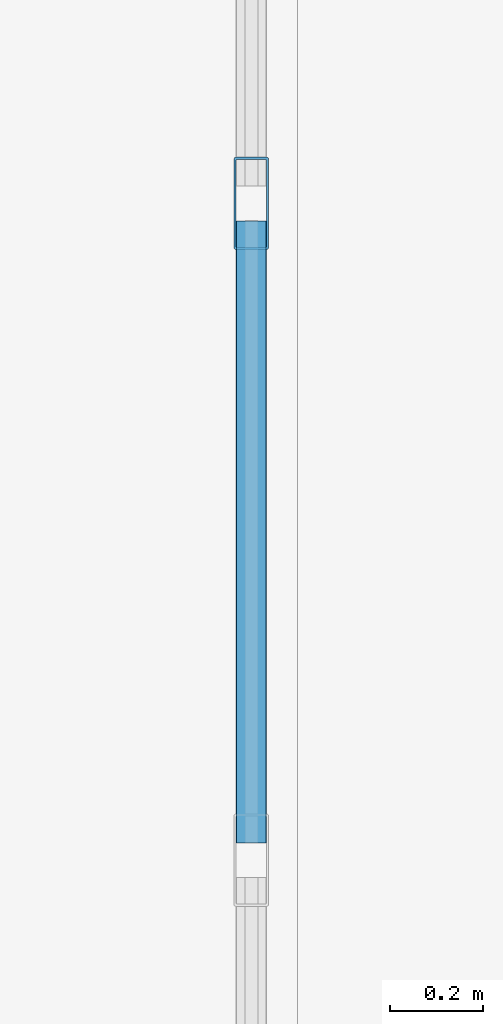
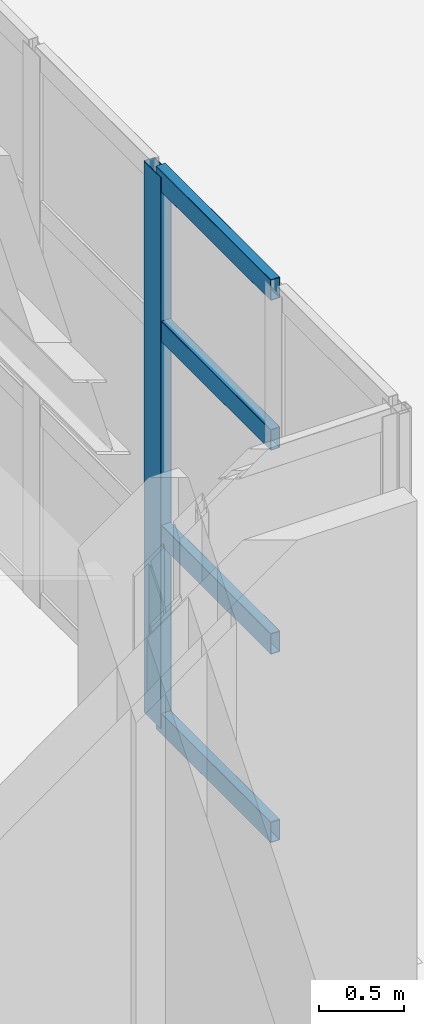
# One storey, part 22 of 43: 5 members, 1 element without a shape of its own.
"""IFC4 building model written with IfcOpenShell, lengths in metres."""

from ifc_helpers import new_model, si_unit, direction, frame, origin, origin_2d, place, context, subcontext, project, spatial, hollow_rectangle, extrude, material, layer, layer_set, material_profile, profile_set, type_object, element, aggregate, save


model = new_model("IFC4")

# Units and contexts
model_context = context("Model", 3, precision=1e-05, world=origin(), true_north=direction((0.0, 1.0)))
body_context = subcontext(model_context, "Body", "Model", "MODEL_VIEW")
ifc_project = project(units=[si_unit("LENGTHUNIT", "METRE"), si_unit("AREAUNIT", "SQUARE_METRE"), si_unit("VOLUMEUNIT", "CUBIC_METRE"), si_unit("PLANEANGLEUNIT", "RADIAN"), si_unit("MASSUNIT", "GRAM", prefix="KILO")], contexts=[model_context])

# Site, building, storey
site_placement = place(None, origin())
site = spatial("IfcSite", under=ifc_project, at=site_placement, CompositionType="ELEMENT")
building_placement = place(site_placement, origin())
building = spatial("IfcBuilding", under=site, at=building_placement, Name="Kemerveld Promenade Tramway Depot", CompositionType="ELEMENT")
storey_placement = place(building_placement, frame((0.0, 0.0, 18.89990234375)))
storey = spatial("IfcBuildingStorey", under=building, at=storey_placement, Name="L04", CompositionType="ELEMENT", Elevation=18.89990234375)

# Curtain wall, members
ifc_material_1 = material(Name="Bronze anodised aluminium and solar glass", Category="aluminium")
ifc_layer = layer(ifc_material_1, 0.199951171875)
ifc_layer_set = layer_set([ifc_layer], Name="CW-SYS-02")
curtain_wall_type = type_object("IfcCurtainWallType", Name="CW-SYS-02", PredefinedType="USERDEFINED", material=ifc_layer_set)
curtain_wall_placement = place(storey_placement, origin())
curtain_wall = element("IfcCurtainWall", 1, at=curtain_wall_placement, inside=storey, type_object=curtain_wall_type, Name="CW-L04-CUMBA-E", ObjectType="GLAZED_CURTAIN_WALL", PredefinedType="USERDEFINED")
ifc_material_2 = material(Name="Bronze anodised aluminium", Category="aluminium")
ifc_material_profile_1 = material_profile(ifc_material_2, hollow_rectangle(XDim=0.074951171875, YDim=0.199951171875, WallThickness=0.0048828125, InnerFilletRadius=0.001953125, OuterFilletRadius=0.0048828125, at=origin_2d()), Name="CW-MUL-200x75")
ifc_profile_set_1 = profile_set([ifc_material_profile_1], Name="Bronze anodised aluminium")
member_type_1 = type_object("IfcMemberType", Name="CW-MUL-B", PredefinedType="MULLION", material=ifc_profile_set_1)
member_1_placement = place(storey_placement, frame((37.699951171875, 31.739990234375, 0.0), z_axis=(0.0, 0.0, 1.0), x_axis=(1.0, 0.0, 0.0)))
member_1 = element("IfcMember", 2, at=member_1_placement, type_object=member_type_1, Name="CW02 mullion 9", PredefinedType="MULLION", context=body_context, shape_type="SweptSolid", body=[
    extrude(hollow_rectangle(XDim=0.074951171875, YDim=0.199951171875, WallThickness=0.0048828125, InnerFilletRadius=0.001953125, OuterFilletRadius=0.0048828125, at=origin_2d()), origin(), (0.0, 0.0, 1.0), 3.9501953125),
])
ifc_material_profile_2 = material_profile(ifc_material_2, hollow_rectangle(XDim=0.06494140625, YDim=0.14990234375, WallThickness=0.00439453125, InnerFilletRadius=0.001953125, OuterFilletRadius=0.00439453125, at=origin_2d()), Name="CW-TRN-150x65")
ifc_profile_set_2 = profile_set([ifc_material_profile_2], Name="Bronze anodised aluminium")
member_type_2 = type_object("IfcMemberType", Name="CW-TRN-B", PredefinedType="USERDEFINED", material=ifc_profile_set_2)
member_2_placement = place(storey_placement, frame((37.699951171875, 31.702392578125, 0.03271484375), z_axis=(0.0, -1.0, 0.0), x_axis=(1.0, 0.0, 0.0)))
member_2 = element("IfcMember", 3, at=member_2_placement, type_object=member_type_2, Name="CW02 transom 9.1", ObjectType="TRANSOM", PredefinedType="USERDEFINED", context=body_context, shape_type="SweptSolid", body=[
    extrude(hollow_rectangle(XDim=0.06494140625, YDim=0.14990234375, WallThickness=0.00439453125, InnerFilletRadius=0.001953125, OuterFilletRadius=0.00439453125, at=origin_2d()), origin(), (0.0, 0.0, 1.0), 1.344970703125),
])
member_3_placement = place(storey_placement, frame((37.699951171875, 31.702392578125, 1.382080078125), z_axis=(0.0, -1.0, 0.0), x_axis=(1.0, 0.0, 0.0)))
member_3 = element("IfcMember", 4, at=member_3_placement, type_object=member_type_2, Name="CW02 transom 9.2", ObjectType="TRANSOM", PredefinedType="USERDEFINED", context=body_context, shape_type="SweptSolid", body=[
    extrude(hollow_rectangle(XDim=0.06494140625, YDim=0.14990234375, WallThickness=0.00439453125, InnerFilletRadius=0.001953125, OuterFilletRadius=0.00439453125, at=origin_2d()), origin(), (0.0, 0.0, 1.0), 1.344970703125),
])
member_4_placement = place(storey_placement, frame((37.699951171875, 31.702392578125, 2.843994140625), z_axis=(0.0, -1.0, 0.0), x_axis=(1.0, 0.0, 0.0)))
member_4 = element("IfcMember", 5, at=member_4_placement, type_object=member_type_2, Name="CW02 transom 9.3", ObjectType="TRANSOM", PredefinedType="USERDEFINED", context=body_context, shape_type="SweptSolid", body=[
    extrude(hollow_rectangle(XDim=0.06494140625, YDim=0.14990234375, WallThickness=0.00439453125, InnerFilletRadius=0.001953125, OuterFilletRadius=0.00439453125, at=origin_2d()), origin(), (0.0, 0.0, 1.0), 1.344970703125),
])
member_5_placement = place(storey_placement, frame((37.699951171875, 31.702392578125, 3.91748046875), z_axis=(0.0, -1.0, 0.0), x_axis=(1.0, 0.0, 0.0)))
member_5 = element("IfcMember", 6, at=member_5_placement, type_object=member_type_2, Name="CW02 transom 9.4", ObjectType="TRANSOM", PredefinedType="USERDEFINED", context=body_context, shape_type="SweptSolid", body=[
    extrude(hollow_rectangle(XDim=0.06494140625, YDim=0.14990234375, WallThickness=0.00439453125, InnerFilletRadius=0.001953125, OuterFilletRadius=0.00439453125, at=origin_2d()), origin(), (0.0, 0.0, 1.0), 1.344970703125),
])
aggregate(curtain_wall, [member_1, member_2, member_3, member_4, member_5])

save(model, "model.ifc")
